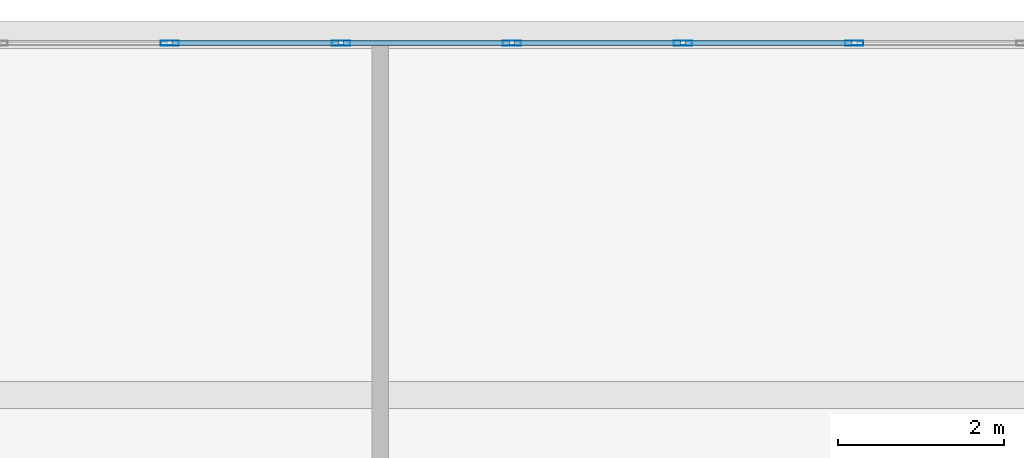
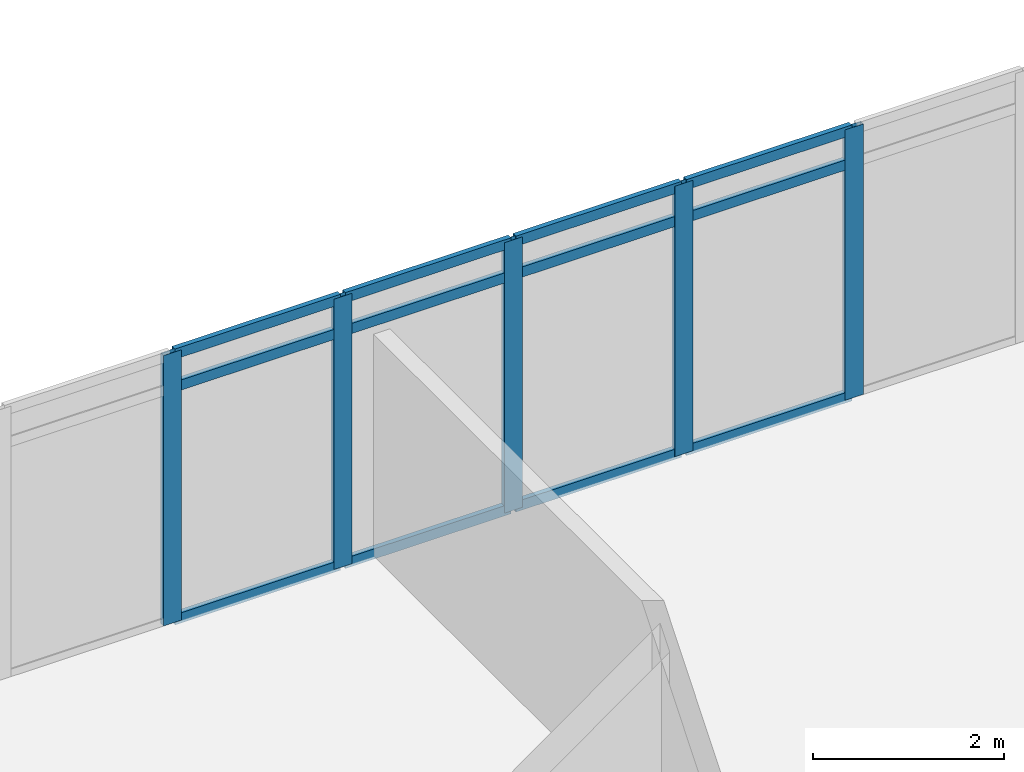
# One storey, part 20 of 36: 17 members, 1 element without a shape of its own.
"""IFC4 building model written with IfcOpenShell, lengths in metres."""

from ifc_helpers import new_model, si_unit, direction, frame, origin, origin_2d, place, context, subcontext, project, spatial, hollow_rectangle, extrude, material, material_profile, profile_set, type_object, element, aggregate, save


model = new_model("IFC4")

# Units and contexts
model_context = context("Model", 3, precision=1e-05, world=origin(), true_north=direction((0.0, 1.0)))
body_context = subcontext(model_context, "Body", "Model", "MODEL_VIEW")
ifc_project = project(units=[si_unit("LENGTHUNIT", "METRE"), si_unit("AREAUNIT", "SQUARE_METRE"), si_unit("VOLUMEUNIT", "CUBIC_METRE"), si_unit("PLANEANGLEUNIT", "RADIAN"), si_unit("MASSUNIT", "GRAM", prefix="KILO")], contexts=[model_context])

# Site, building, storey
site_placement = place(None, origin())
site = spatial("IfcSite", under=ifc_project, at=site_placement, CompositionType="ELEMENT")
building_placement = place(site_placement, origin())
building = spatial("IfcBuilding", under=site, at=building_placement, Name="Ostrander Bayou Hotel Tower", CompositionType="ELEMENT")
storey_placement = place(building_placement, frame((0.0, 0.0, 138.5)))
storey = spatial("IfcBuildingStorey", under=building, at=storey_placement, Name="L34", CompositionType="ELEMENT", Elevation=138.5)

# Curtain wall, members
ifc_material_1 = material(Name="Aluminium and clear glass", Category="aluminium")
curtain_wall_type = type_object("IfcCurtainWallType", Name="CW-BAR glazed wall", PredefinedType="NOTDEFINED", material=ifc_material_1)
curtain_wall_placement = place(storey_placement, origin())
curtain_wall = element("IfcCurtainWall", 1, at=curtain_wall_placement, inside=storey, type_object=curtain_wall_type, Name="CW-BAR L34:SB3N:T", PredefinedType="NOTDEFINED")
ifc_material_2 = material(Name="Aluminium", Category="aluminium")
ifc_material_profile_1 = material_profile(ifc_material_2, hollow_rectangle(XDim=0.06005859375, YDim=0.219970703125, WallThickness=0.00390625, at=origin_2d()))
ifc_profile_set_1 = profile_set([ifc_material_profile_1], Name="Aluminium")
member_type_1 = type_object("IfcMemberType", Name="CW-BR mullion 60 x 220 mm", PredefinedType="MULLION", material=ifc_profile_set_1)
member_1_placement = place(storey_placement, frame((1.0283203125, 29.037109375, 0.0), z_axis=(0.0, 0.0, 1.0), x_axis=(0.0, 1.0, 0.0)))
member_1 = element("IfcMember", 2, at=member_1_placement, type_object=member_type_1, Name="CW-BAR mullion 8", PredefinedType="MULLION", context=body_context, shape_type="SweptSolid", body=[
    extrude(hollow_rectangle(XDim=0.06005859375, YDim=0.219970703125, WallThickness=0.00390625, at=origin_2d()), origin(), (0.0, 0.0, 1.0), 3.449951171875),
])
member_2_placement = place(storey_placement, frame((3.084716796875, 29.037109375, 0.0), z_axis=(0.0, 0.0, 1.0), x_axis=(0.0, 1.0, 0.0)))
member_2 = element("IfcMember", 3, at=member_2_placement, type_object=member_type_1, Name="CW-BAR mullion 9", PredefinedType="MULLION", context=body_context, shape_type="SweptSolid", body=[
    extrude(hollow_rectangle(XDim=0.06005859375, YDim=0.219970703125, WallThickness=0.00390625, at=origin_2d()), origin(), (0.0, 0.0, 1.0), 3.449951171875),
])
member_3_placement = place(storey_placement, frame((5.14111328125, 29.037109375, 0.0), z_axis=(0.0, 0.0, 1.0), x_axis=(0.0, 1.0, 0.0)))
member_3 = element("IfcMember", 4, at=member_3_placement, type_object=member_type_1, Name="CW-BAR mullion 10", PredefinedType="MULLION", context=body_context, shape_type="SweptSolid", body=[
    extrude(hollow_rectangle(XDim=0.06005859375, YDim=0.219970703125, WallThickness=0.00390625, at=origin_2d()), origin(), (0.0, 0.0, 1.0), 3.449951171875),
])
member_4_placement = place(storey_placement, frame((7.19775390625, 29.037109375, 0.0), z_axis=(0.0, 0.0, 1.0), x_axis=(0.0, 1.0, 0.0)))
member_4 = element("IfcMember", 5, at=member_4_placement, type_object=member_type_1, Name="CW-BAR mullion 11", PredefinedType="MULLION", context=body_context, shape_type="SweptSolid", body=[
    extrude(hollow_rectangle(XDim=0.06005859375, YDim=0.219970703125, WallThickness=0.00390625, at=origin_2d()), origin(), (0.0, 0.0, 1.0), 3.449951171875),
])
member_5_placement = place(storey_placement, frame((9.254150390625, 29.037109375, 0.0), z_axis=(0.0, 0.0, 1.0), x_axis=(0.0, 1.0, 0.0)))
member_5 = element("IfcMember", 6, at=member_5_placement, type_object=member_type_1, Name="CW-BAR mullion 12", PredefinedType="MULLION", context=body_context, shape_type="SweptSolid", body=[
    extrude(hollow_rectangle(XDim=0.06005859375, YDim=0.219970703125, WallThickness=0.00390625, at=origin_2d()), origin(), (0.0, 0.0, 1.0), 3.449951171875),
])
ifc_material_3 = material(Name="Aluminium", Category="aluminium")
ifc_material_profile_2 = material_profile(ifc_material_3, hollow_rectangle(XDim=0.06005859375, YDim=0.1298828125, WallThickness=0.00390625, at=origin_2d()))
ifc_profile_set_2 = profile_set([ifc_material_profile_2], Name="Aluminium")
member_type_2 = type_object("IfcMemberType", Name="CW-BR transom 60 x 130 mm", PredefinedType="USERDEFINED", material=ifc_profile_set_2)
member_6_placement = place(storey_placement, frame((1.058349609375, 29.037109375, 0.030029296875), z_axis=(1.0, 0.0, 0.0), x_axis=(0.0, 1.0, 0.0)))
member_6 = element("IfcMember", 7, at=member_6_placement, type_object=member_type_2, Name="CW-BAR transom 8.1", ObjectType="TRANSOM", PredefinedType="USERDEFINED", context=body_context, shape_type="SweptSolid", body=[
    extrude(hollow_rectangle(XDim=0.06005859375, YDim=0.1298828125, WallThickness=0.00390625, at=origin_2d()), origin(), (0.0, 0.0, 1.0), 1.996337890625),
])
member_7_placement = place(storey_placement, frame((1.058349609375, 29.037109375, 3.0), z_axis=(1.0, 0.0, 0.0), x_axis=(0.0, 1.0, 0.0)))
member_7 = element("IfcMember", 8, at=member_7_placement, type_object=member_type_2, Name="CW-BAR transom 8.2", ObjectType="TRANSOM", PredefinedType="USERDEFINED", context=body_context, shape_type="SweptSolid", body=[
    extrude(hollow_rectangle(XDim=0.06005859375, YDim=0.1298828125, WallThickness=0.00390625, at=origin_2d()), origin(), (0.0, 0.0, 1.0), 1.996337890625),
])
member_8_placement = place(storey_placement, frame((1.058349609375, 29.037109375, 3.419921875), z_axis=(1.0, 0.0, 0.0), x_axis=(0.0, 1.0, 0.0)))
member_8 = element("IfcMember", 9, at=member_8_placement, type_object=member_type_2, Name="CW-BAR transom 8.3", ObjectType="TRANSOM", PredefinedType="USERDEFINED", context=body_context, shape_type="SweptSolid", body=[
    extrude(hollow_rectangle(XDim=0.06005859375, YDim=0.1298828125, WallThickness=0.00390625, at=origin_2d()), origin(), (0.0, 0.0, 1.0), 1.996337890625),
])
member_9_placement = place(storey_placement, frame((3.11474609375, 29.037109375, 0.030029296875), z_axis=(1.0, 0.0, 0.0), x_axis=(0.0, 1.0, 0.0)))
member_9 = element("IfcMember", 10, at=member_9_placement, type_object=member_type_2, Name="CW-BAR transom 9.1", ObjectType="TRANSOM", PredefinedType="USERDEFINED", context=body_context, shape_type="SweptSolid", body=[
    extrude(hollow_rectangle(XDim=0.06005859375, YDim=0.1298828125, WallThickness=0.00390625, at=origin_2d()), origin(), (0.0, 0.0, 1.0), 1.99658203125),
])
member_10_placement = place(storey_placement, frame((3.11474609375, 29.037109375, 3.0), z_axis=(1.0, 0.0, 0.0), x_axis=(0.0, 1.0, 0.0)))
member_10 = element("IfcMember", 11, at=member_10_placement, type_object=member_type_2, Name="CW-BAR transom 9.2", ObjectType="TRANSOM", PredefinedType="USERDEFINED", context=body_context, shape_type="SweptSolid", body=[
    extrude(hollow_rectangle(XDim=0.06005859375, YDim=0.1298828125, WallThickness=0.00390625, at=origin_2d()), origin(), (0.0, 0.0, 1.0), 1.99658203125),
])
member_11_placement = place(storey_placement, frame((3.11474609375, 29.037109375, 3.419921875), z_axis=(1.0, 0.0, 0.0), x_axis=(0.0, 1.0, 0.0)))
member_11 = element("IfcMember", 12, at=member_11_placement, type_object=member_type_2, Name="CW-BAR transom 9.3", ObjectType="TRANSOM", PredefinedType="USERDEFINED", context=body_context, shape_type="SweptSolid", body=[
    extrude(hollow_rectangle(XDim=0.06005859375, YDim=0.1298828125, WallThickness=0.00390625, at=origin_2d()), origin(), (0.0, 0.0, 1.0), 1.99658203125),
])
member_12_placement = place(storey_placement, frame((5.171142578125, 29.037109375, 0.030029296875), z_axis=(1.0, 0.0, 0.0), x_axis=(0.0, 1.0, 0.0)))
member_12 = element("IfcMember", 13, at=member_12_placement, type_object=member_type_2, Name="CW-BAR transom 10.1", ObjectType="TRANSOM", PredefinedType="USERDEFINED", context=body_context, shape_type="SweptSolid", body=[
    extrude(hollow_rectangle(XDim=0.06005859375, YDim=0.1298828125, WallThickness=0.00390625, at=origin_2d()), origin(), (0.0, 0.0, 1.0), 1.99658203125),
])
member_13_placement = place(storey_placement, frame((5.171142578125, 29.037109375, 3.0), z_axis=(1.0, 0.0, 0.0), x_axis=(0.0, 1.0, 0.0)))
member_13 = element("IfcMember", 14, at=member_13_placement, type_object=member_type_2, Name="CW-BAR transom 10.2", ObjectType="TRANSOM", PredefinedType="USERDEFINED", context=body_context, shape_type="SweptSolid", body=[
    extrude(hollow_rectangle(XDim=0.06005859375, YDim=0.1298828125, WallThickness=0.00390625, at=origin_2d()), origin(), (0.0, 0.0, 1.0), 1.99658203125),
])
member_14_placement = place(storey_placement, frame((5.171142578125, 29.037109375, 3.419921875), z_axis=(1.0, 0.0, 0.0), x_axis=(0.0, 1.0, 0.0)))
member_14 = element("IfcMember", 15, at=member_14_placement, type_object=member_type_2, Name="CW-BAR transom 10.3", ObjectType="TRANSOM", PredefinedType="USERDEFINED", context=body_context, shape_type="SweptSolid", body=[
    extrude(hollow_rectangle(XDim=0.06005859375, YDim=0.1298828125, WallThickness=0.00390625, at=origin_2d()), origin(), (0.0, 0.0, 1.0), 1.99658203125),
])
member_15_placement = place(storey_placement, frame((7.227783203125, 29.037109375, 0.030029296875), z_axis=(1.0, 0.0, 0.0), x_axis=(0.0, 1.0, 0.0)))
member_15 = element("IfcMember", 16, at=member_15_placement, type_object=member_type_2, Name="CW-BAR transom 11.1", ObjectType="TRANSOM", PredefinedType="USERDEFINED", context=body_context, shape_type="SweptSolid", body=[
    extrude(hollow_rectangle(XDim=0.06005859375, YDim=0.1298828125, WallThickness=0.00390625, at=origin_2d()), origin(), (0.0, 0.0, 1.0), 1.996337890625),
])
member_16_placement = place(storey_placement, frame((7.227783203125, 29.037109375, 3.0), z_axis=(1.0, 0.0, 0.0), x_axis=(0.0, 1.0, 0.0)))
member_16 = element("IfcMember", 17, at=member_16_placement, type_object=member_type_2, Name="CW-BAR transom 11.2", ObjectType="TRANSOM", PredefinedType="USERDEFINED", context=body_context, shape_type="SweptSolid", body=[
    extrude(hollow_rectangle(XDim=0.06005859375, YDim=0.1298828125, WallThickness=0.00390625, at=origin_2d()), origin(), (0.0, 0.0, 1.0), 1.996337890625),
])
member_17_placement = place(storey_placement, frame((7.227783203125, 29.037109375, 3.419921875), z_axis=(1.0, 0.0, 0.0), x_axis=(0.0, 1.0, 0.0)))
member_17 = element("IfcMember", 18, at=member_17_placement, type_object=member_type_2, Name="CW-BAR transom 11.3", ObjectType="TRANSOM", PredefinedType="USERDEFINED", context=body_context, shape_type="SweptSolid", body=[
    extrude(hollow_rectangle(XDim=0.06005859375, YDim=0.1298828125, WallThickness=0.00390625, at=origin_2d()), origin(), (0.0, 0.0, 1.0), 1.996337890625),
])
aggregate(curtain_wall, [member_1, member_2, member_3, member_4, member_5, member_6, member_7, member_8, member_9, member_10, member_11, member_12, member_13, member_14, member_15, member_16, member_17])

save(model, "model.ifc")
